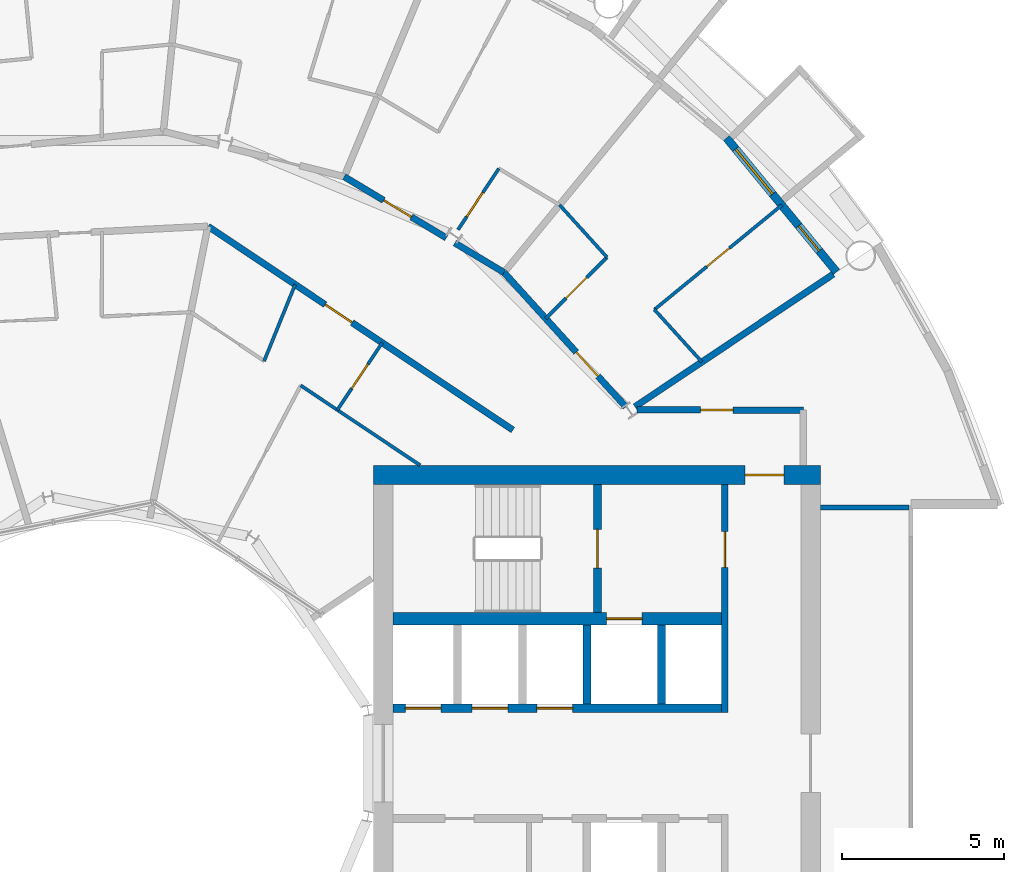
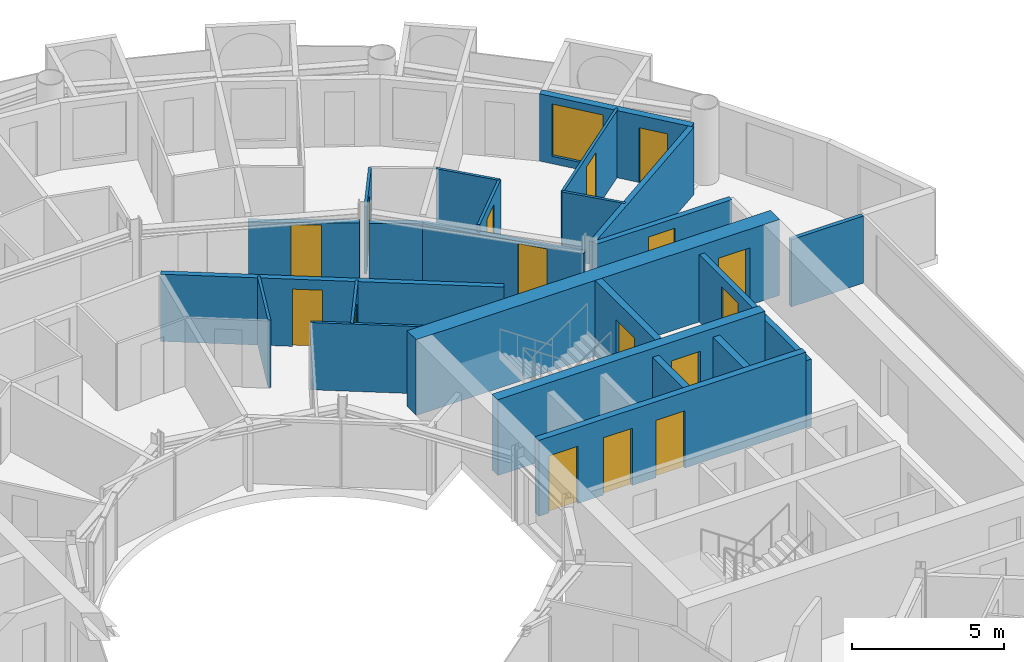
# One storey, part 22 of 27: 23 walls, 16 doors, 1 window, 17 openings.
"""IFC4 building model written with IfcOpenShell, lengths in metres."""

from ifc_helpers import new_model, si_unit, direction, frame, frame_2d, origin, place, context, subcontext, project, spatial, rectangle, extrude, material, layer, layer_set, type_object, element, fill, save


model = new_model("IFC4")

# Units and contexts
model_context = context("Model", 3, precision=1e-05, world=origin(), true_north=direction((0.0, 1.0)))
body_context = subcontext(model_context, "Body", "Model", "MODEL_VIEW")
ifc_project = project(units=[si_unit("LENGTHUNIT", "METRE"), si_unit("AREAUNIT", "SQUARE_METRE"), si_unit("VOLUMEUNIT", "CUBIC_METRE"), si_unit("PLANEANGLEUNIT", "RADIAN"), si_unit("MASSUNIT", "GRAM", prefix="KILO")], contexts=[model_context])

# Site, building, storey
site_placement = place(None, origin())
site = spatial("IfcSite", under=ifc_project, at=site_placement, CompositionType="ELEMENT")
building_placement = place(site_placement, origin())
building = spatial("IfcBuilding", under=site, at=building_placement, Name="Maasbend Ring Residences", CompositionType="ELEMENT")
storey_placement = place(building_placement, frame((0.0, 0.0, 126.89990234375)))
storey = spatial("IfcBuildingStorey", under=building, at=storey_placement, Name="L36", CompositionType="ELEMENT", Elevation=126.89990234375)

# Wall, openings, doors
ifc_material_1 = material(Name="Concrete C60/75", Category="concrete")
ifc_layer_1 = layer(ifc_material_1, 0.25)
ifc_layer_set_1 = layer_set([ifc_layer_1], Name="Concrete C60/75")
wall_type_1 = type_object("IfcWallType", Name="CORE WALL 250 C60/75", PredefinedType="SHEAR", material=ifc_layer_set_1)
wall_1_placement = place(storey_placement, frame((9.0, 1.699951171875, 0.0), z_axis=(0.0, 0.0, 1.0), x_axis=(1.0, 0.0, 0.0)))
wall_1 = element("IfcWall", 1, at=wall_1_placement, inside=storey, type_object=wall_type_1, Name="L36 core E wall SPN", PredefinedType="SHEAR", context=body_context, shape_type="SweptSolid", body=[
    extrude(rectangle(XDim=10.14990234375, YDim=0.25, at=frame_2d((5.074951171875, 0.0))), origin(), (0.0, 0.0, 1.0), 3.050048828125),
])
opening_1_placement = place(wall_1_placement, frame((0.387451171875, 0.0, 0.0)))
opening_1 = element("IfcOpeningElement", 2, at=opening_1_placement, cuts=wall_1, Name="Opening LD-E3601", PredefinedType="OPENING", context=body_context, shape_type="SweptSolid", body=[
    extrude(rectangle(XDim=1.10009765625, YDim=2.300048828125, at=frame_2d((0.550048828125, 1.14990234375))), frame((0.0, 0.135009765625, 0.0), z_axis=(0.0, -1.0, 0.0), x_axis=(1.0, 0.0, 0.0)), (0.0, 0.0, 1.0), 0.27001953125),
])
opening_2_placement = place(wall_1_placement, frame((2.449951171875, 0.0, 0.0)))
opening_2 = element("IfcOpeningElement", 3, at=opening_2_placement, cuts=wall_1, Name="Opening LD-E3602", PredefinedType="OPENING", context=body_context, shape_type="SweptSolid", body=[
    extrude(rectangle(XDim=1.10009765625, YDim=2.300048828125, at=frame_2d((0.550048828125, 1.14990234375))), frame((0.0, 0.135009765625, 0.0), z_axis=(0.0, -1.0, 0.0), x_axis=(1.0, 0.0, 0.0)), (0.0, 0.0, 1.0), 0.27001953125),
])
opening_3_placement = place(wall_1_placement, frame((4.449951171875, 0.0, 0.0)))
opening_3 = element("IfcOpeningElement", 4, at=opening_3_placement, cuts=wall_1, Name="Opening LD-E3603", PredefinedType="OPENING", context=body_context, shape_type="SweptSolid", body=[
    extrude(rectangle(XDim=1.10009765625, YDim=2.300048828125, at=frame_2d((0.550048828125, 1.14990234375))), frame((0.0, 0.135009765625, 0.0), z_axis=(0.0, -1.0, 0.0), x_axis=(1.0, 0.0, 0.0)), (0.0, 0.0, 1.0), 0.27001953125),
])
ifc_material_2 = material(Name="Stainless steel 316", Category="steel")
door_type_1 = type_object("IfcDoorType", Name="LANDING DOOR 1100 X 2300 FD60", OperationType="DOUBLE_DOOR_SLIDING", PredefinedType="DOOR", material=ifc_material_2)
door_1_placement = place(opening_1_placement, origin())
door_1 = element("IfcDoor", 5, at=door_1_placement, inside=storey, type_object=door_type_1, Name="Landing door LR-E1 L36", OperationType="DOUBLE_DOOR_SLIDING", OverallHeight=2.300048828125, OverallWidth=1.10009765625, PredefinedType="DOOR", context=body_context, shape_type="SweptSolid", body=[
    extrude(rectangle(XDim=1.10009765625, YDim=2.300048828125, at=frame_2d((0.550048828125, 1.14990234375))), frame((0.0, 0.02490234375, 0.0), z_axis=(0.0, -1.0, 0.0), x_axis=(1.0, 0.0, 0.0)), (0.0, 0.0, 1.0), 0.050048828125),
])
fill(opening_1, door_1)
door_2_placement = place(opening_2_placement, origin())
door_2 = element("IfcDoor", 6, at=door_2_placement, inside=storey, type_object=door_type_1, Name="Landing door LR-E2 L36", OperationType="DOUBLE_DOOR_SLIDING", OverallHeight=2.300048828125, OverallWidth=1.10009765625, PredefinedType="DOOR", context=body_context, shape_type="SweptSolid", body=[
    extrude(rectangle(XDim=1.10009765625, YDim=2.300048828125, at=frame_2d((0.550048828125, 1.14990234375))), frame((0.0, 0.02490234375, 0.0), z_axis=(0.0, -1.0, 0.0), x_axis=(1.0, 0.0, 0.0)), (0.0, 0.0, 1.0), 0.050048828125),
])
fill(opening_2, door_2)
door_3_placement = place(opening_3_placement, origin())
door_3 = element("IfcDoor", 7, at=door_3_placement, inside=storey, type_object=door_type_1, Name="Landing door LR-E3 L36", OperationType="DOUBLE_DOOR_SLIDING", OverallHeight=2.300048828125, OverallWidth=1.10009765625, PredefinedType="DOOR", context=body_context, shape_type="SweptSolid", body=[
    extrude(rectangle(XDim=1.10009765625, YDim=2.300048828125, at=frame_2d((0.550048828125, 1.14990234375))), frame((0.0, 0.02490234375, 0.0), z_axis=(0.0, -1.0, 0.0), x_axis=(1.0, 0.0, 0.0)), (0.0, 0.0, 1.0), 0.050048828125),
])
fill(opening_3, door_3)

# Wall, opening, door
wall_2_placement = place(storey_placement, frame((15.324951171875, 4.64990234375, 0.0), z_axis=(0.0, 0.0, 1.0), x_axis=(0.0, 1.0, 0.0)))
wall_2 = element("IfcWall", 8, at=wall_2_placement, inside=storey, type_object=wall_type_1, Name="L36 core E wall STEN", PredefinedType="SHEAR", context=body_context, shape_type="SweptSolid", body=[
    extrude(rectangle(XDim=3.9501953125, YDim=0.25, at=frame_2d((1.97509765625, 0.0))), origin(), (0.0, 0.0, 1.0), 3.050048828125),
])
opening_4_placement = place(wall_2_placement, frame((1.375, 0.0, 0.0)))
opening_4 = element("IfcOpeningElement", 9, at=opening_4_placement, cuts=wall_2, Name="Opening D-E3610", PredefinedType="OPENING", context=body_context, shape_type="SweptSolid", body=[
    extrude(rectangle(XDim=1.199951171875, YDim=2.300048828125, at=frame_2d((0.60009765625, 1.14990234375))), frame((0.0, 0.135009765625, 0.0), z_axis=(0.0, -1.0, 0.0), x_axis=(1.0, 0.0, 0.0)), (0.0, 0.0, 1.0), 0.27001953125),
])
ifc_material_3 = material(Name="Steel, powder coated", Category="steel")
door_type_2 = type_object("IfcDoorType", Name="STAIR DOOR 1200 X 2300 FD60", OperationType="NOTDEFINED", PredefinedType="DOOR", material=ifc_material_3)
door_4_placement = place(opening_4_placement, origin())
door_4 = element("IfcDoor", 10, at=door_4_placement, inside=storey, type_object=door_type_2, Name="Stair door ST-E L36", OperationType="SINGLE_SWING_LEFT", OverallHeight=2.300048828125, OverallWidth=1.199951171875, PredefinedType="DOOR", context=body_context, shape_type="SweptSolid", body=[
    extrude(rectangle(XDim=1.199951171875, YDim=2.300048828125, at=frame_2d((0.60009765625, 1.14990234375))), frame((0.0, 0.02490234375, 0.0), z_axis=(0.0, -1.0, 0.0), x_axis=(1.0, 0.0, 0.0)), (0.0, 0.0, 1.0), 0.050048828125),
])
fill(opening_4, door_4)

ifc_material_4 = material(Name="Concrete C60/75", Category="concrete")
ifc_layer_2 = layer(ifc_material_4, 0.375)
ifc_layer_set_2 = layer_set([ifc_layer_2], Name="Concrete C60/75")
wall_type_2 = type_object("IfcWallType", Name="CORE WALL 375 C60/75", PredefinedType="SHEAR", material=ifc_layer_set_2)
wall_3_placement = place(storey_placement, frame((9.0, 4.46240234375, 0.0), z_axis=(0.0, 0.0, 1.0), x_axis=(1.0, 0.0, 0.0)))
wall_3 = element("IfcWall", 11, at=wall_3_placement, inside=storey, type_object=wall_type_2, Name="L36 core E wall BN", PredefinedType="SHEAR", context=body_context, shape_type="SweptSolid", body=[
    extrude(rectangle(XDim=10.14990234375, YDim=0.375, at=frame_2d((5.074951171875, 0.0))), origin(), (0.0, 0.0, 1.0), 3.050048828125),
])
opening_5_placement = place(wall_3_placement, frame((6.60009765625, 0.0, 0.0)))
opening_5 = element("IfcOpeningElement", 12, at=opening_5_placement, cuts=wall_3, Name="Opening LD-E3604", PredefinedType="OPENING", context=body_context, shape_type="SweptSolid", body=[
    extrude(rectangle(XDim=1.10009765625, YDim=2.300048828125, at=frame_2d((0.550048828125, 1.14990234375))), frame((0.0, 0.197509765625, 0.0), z_axis=(0.0, -1.0, 0.0), x_axis=(1.0, 0.0, 0.0)), (0.0, 0.0, 1.0), 0.39501953125),
])
door_5_placement = place(opening_5_placement, origin())
door_5 = element("IfcDoor", 13, at=door_5_placement, inside=storey, type_object=door_type_1, Name="Landing door FF-E L36", OperationType="DOUBLE_DOOR_SLIDING", OverallHeight=2.300048828125, OverallWidth=1.10009765625, PredefinedType="DOOR", context=body_context, shape_type="SweptSolid", body=[
    extrude(rectangle(XDim=1.10009765625, YDim=2.300048828125, at=frame_2d((0.550048828125, 1.14990234375))), frame((0.0, 0.02490234375, 0.0), z_axis=(0.0, -1.0, 0.0), x_axis=(1.0, 0.0, 0.0)), (0.0, 0.0, 1.0), 0.050048828125),
])
fill(opening_5, door_5)

ifc_material_5 = material(Name="Concrete C60/75", Category="concrete")
ifc_layer_3 = layer(ifc_material_5, 0.60009765625)
ifc_layer_set_3 = layer_set([ifc_layer_3], Name="Concrete C60/75")
wall_type_3 = type_object("IfcWallType", Name="CORE WALL 600 C60/75", PredefinedType="SHEAR", material=ifc_layer_set_3)
wall_4_placement = place(storey_placement, frame((22.199951171875, 8.89990234375, 0.0), z_axis=(0.0, 0.0, 1.0), x_axis=(-1.0, 0.0, 0.0)))
wall_4 = element("IfcWall", 14, at=wall_4_placement, inside=storey, type_object=wall_type_3, Name="L36 core E wall PN", PredefinedType="SHEAR", context=body_context, shape_type="SweptSolid", body=[
    extrude(rectangle(XDim=13.800048828125, YDim=0.60009765625, at=frame_2d((6.89990234375, 0.0))), origin(), (0.0, 0.0, 1.0), 3.050048828125),
])
opening_6_placement = place(wall_4_placement, frame((1.125, 0.0, 0.0)))
opening_6 = element("IfcOpeningElement", 15, at=opening_6_placement, cuts=wall_4, Name="Opening D-E3614", PredefinedType="OPENING", context=body_context, shape_type="SweptSolid", body=[
    extrude(rectangle(XDim=1.199951171875, YDim=2.300048828125, at=frame_2d((0.60009765625, 1.14990234375))), frame((0.0, 0.31005859375, 0.0), z_axis=(0.0, -1.0, 0.0), x_axis=(1.0, 0.0, 0.0)), (0.0, 0.0, 1.0), 0.6201171875),
])
ifc_material_6 = material(Name="Steel, powder coated", Category="steel")
door_type_3 = type_object("IfcDoorType", Name="CORRIDOR DOOR 1200 X 2300 FD30S", OperationType="NOTDEFINED", PredefinedType="DOOR", material=ifc_material_6)
door_6_placement = place(opening_6_placement, origin())
door_6 = element("IfcDoor", 16, at=door_6_placement, inside=storey, type_object=door_type_3, Name="Corridor door L36", OperationType="SINGLE_SWING_RIGHT", OverallHeight=2.300048828125, OverallWidth=1.199951171875, PredefinedType="DOOR", context=body_context, shape_type="SweptSolid", body=[
    extrude(rectangle(XDim=1.199951171875, YDim=2.300048828125, at=frame_2d((0.60009765625, 1.14990234375))), frame((0.0, 0.02490234375, 0.0), z_axis=(0.0, -1.0, 0.0), x_axis=(1.0, 0.0, 0.0)), (0.0, 0.0, 1.0), 0.050048828125),
])
fill(opening_6, door_6)

ifc_material_7 = material(Name="Concrete C30/37", Category="concrete")
ifc_layer_4 = layer(ifc_material_7, 0.199951171875)
ifc_layer_set_4 = layer_set([ifc_layer_4], Name="Concrete C30/37")
wall_type_4 = type_object("IfcWallType", Name="CORRIDOR WALL 200 CONCRETE", PredefinedType="PARTITIONING", material=ifc_layer_set_4)
wall_5_placement = place(storey_placement, frame((16.541015625, 10.912109375, 0.0), z_axis=(0.0, 0.0, 1.0), x_axis=(0.999997173357, -0.002377662213, 0.0)))
wall_5 = element("IfcWall", 17, at=wall_5_placement, inside=storey, type_object=wall_type_4, Name="U-L36-w099", PredefinedType="PARTITIONING", context=body_context, shape_type="SweptSolid", body=[
    extrude(rectangle(XDim=5.134033203125, YDim=0.199951171875, at=frame_2d((2.56689453125, 0.0))), origin(), (0.0, 0.0, 1.0), 2.7001953125),
])
opening_7_placement = place(wall_5_placement, frame((1.962890625, 0.0, 0.0)))
opening_7 = element("IfcOpeningElement", 18, at=opening_7_placement, cuts=wall_5, Name="Opening D-3666", PredefinedType="OPENING", context=body_context, shape_type="SweptSolid", body=[
    extrude(rectangle(XDim=1.0, YDim=2.300048828125, at=frame_2d((0.5, 1.14990234375))), frame((0.0, 0.10986328125, 0.0), z_axis=(0.0, -1.0, 0.0), x_axis=(1.0, 0.0, 0.0)), (0.0, 0.0, 1.0), 0.219970703125),
])
ifc_material_8 = material(Name="Timber, painted", Category="wood")
door_type_4 = type_object("IfcDoorType", Name="ROOM DOOR 1000 X 2300", OperationType="NOTDEFINED", PredefinedType="DOOR", material=ifc_material_8)
door_7_placement = place(opening_7_placement, origin())
door_7 = element("IfcDoor", 19, at=door_7_placement, inside=storey, type_object=door_type_4, Name="D-3666", OperationType="SINGLE_SWING_LEFT", OverallHeight=2.300048828125, OverallWidth=1.0, PredefinedType="DOOR", context=body_context, shape_type="SweptSolid", body=[
    extrude(rectangle(XDim=1.0, YDim=2.300048828125, at=frame_2d((0.5, 1.14990234375))), frame((0.0, 0.02490234375, 0.0), z_axis=(0.0, -1.0, 0.0), x_axis=(1.0, 0.0, 0.0)), (0.0, 0.0, 1.0), 0.050048828125),
])
fill(opening_7, door_7)

wall_6_placement = place(storey_placement, frame((3.300048828125, 16.573974609375, 0.0), z_axis=(0.0, 0.0, 1.0), x_axis=(0.831455567902, -0.555591251376, 0.0)))
wall_6 = element("IfcWall", 20, at=wall_6_placement, inside=storey, type_object=wall_type_4, Name="U-L36-w106", PredefinedType="PARTITIONING", context=body_context, shape_type="SweptSolid", body=[
    extrude(rectangle(XDim=11.31396484375, YDim=0.199951171875, at=frame_2d((5.656982421875, 0.0))), origin(), (0.0, 0.0, 1.0), 2.7001953125),
])
opening_8_placement = place(wall_6_placement, frame((4.345947265625, 0.0, 0.0)))
opening_8 = element("IfcOpeningElement", 21, at=opening_8_placement, cuts=wall_6, Name="Opening D-3621", PredefinedType="OPENING", context=body_context, shape_type="SweptSolid", body=[
    extrude(rectangle(XDim=1.0, YDim=2.300048828125, at=frame_2d((0.5, 1.14990234375))), frame((0.0, 0.10986328125, 0.0), z_axis=(0.0, -1.0, 0.0), x_axis=(1.0, 0.0, 0.0)), (0.0, 0.0, 1.0), 0.219970703125),
])
ifc_material_9 = material(Name="Timber, fire-rated, painted", Category="wood")
door_type_5 = type_object("IfcDoorType", Name="FLAT ENTRANCE DOOR 1000 X 2300 FIRE-RATED", OperationType="NOTDEFINED", PredefinedType="DOOR", material=ifc_material_9)
door_8_placement = place(opening_8_placement, origin())
door_8 = element("IfcDoor", 22, at=door_8_placement, inside=storey, type_object=door_type_5, Name="D-3621", OperationType="SINGLE_SWING_LEFT", OverallHeight=2.300048828125, OverallWidth=1.0, PredefinedType="DOOR", context=body_context, shape_type="SweptSolid", body=[
    extrude(rectangle(XDim=1.0, YDim=2.300048828125, at=frame_2d((0.5, 1.14990234375))), frame((0.0, 0.02490234375, 0.0), z_axis=(0.0, -1.0, 0.0), x_axis=(1.0, 0.0, 0.0)), (0.0, 0.0, 1.0), 0.050048828125),
])
fill(opening_8, door_8)

wall_7_placement = place(storey_placement, frame((7.5009765625, 18.10791015625, 0.0), z_axis=(0.0, 0.0, 1.0), x_axis=(0.857774179698, -0.514026708103, 0.0)))
wall_7 = element("IfcWall", 23, at=wall_7_placement, inside=storey, type_object=wall_type_4, Name="U-L36-w114", PredefinedType="PARTITIONING", context=body_context, shape_type="SweptSolid", body=[
    extrude(rectangle(XDim=3.6748046875, YDim=0.199951171875, at=frame_2d((1.83740234375, 0.0))), origin(), (0.0, 0.0, 1.0), 2.39013671875),
])
opening_9_placement = place(wall_7_placement, frame((1.41796875, 0.0, 0.0)))
opening_9 = element("IfcOpeningElement", 24, at=opening_9_placement, cuts=wall_7, Name="Opening D-3604", PredefinedType="OPENING", context=body_context, shape_type="SweptSolid", body=[
    extrude(rectangle(XDim=1.0, YDim=2.300048828125, at=frame_2d((0.5, 1.14990234375))), frame((0.0, 0.10986328125, 0.0), z_axis=(0.0, -1.0, 0.0), x_axis=(1.0, 0.0, 0.0)), (0.0, 0.0, 1.0), 0.219970703125),
])
door_9_placement = place(opening_9_placement, origin())
door_9 = element("IfcDoor", 25, at=door_9_placement, inside=storey, type_object=door_type_5, Name="D-3604", OperationType="SINGLE_SWING_RIGHT", OverallHeight=2.300048828125, OverallWidth=1.0, PredefinedType="DOOR", context=body_context, shape_type="SweptSolid", body=[
    extrude(rectangle(XDim=1.0, YDim=2.300048828125, at=frame_2d((0.5, 1.14990234375))), frame((0.0, 0.02490234375, 0.0), z_axis=(0.0, -1.0, 0.0), x_axis=(1.0, 0.0, 0.0)), (0.0, 0.0, 1.0), 0.050048828125),
])
fill(opening_9, door_9)

# Wall
wall_8_placement = place(storey_placement, frame((10.916015625, 16.06103515625, 0.0), z_axis=(0.0, 0.0, 1.0), x_axis=(0.857663265693, -0.514211748875, 0.0)))
element("IfcWall", 26, at=wall_8_placement, inside=storey, type_object=wall_type_4, Name="U-L36-w115", PredefinedType="PARTITIONING", context=body_context, shape_type="SweptSolid", body=[
    extrude(rectangle(XDim=1.77001953125, YDim=0.199951171875, at=frame_2d((0.885009765625, 0.0))), origin(), (0.0, 0.0, 1.0), 2.39013671875),
])

# Wall, opening, door
wall_9_placement = place(storey_placement, frame((12.43408203125, 15.15087890625, 0.0), z_axis=(0.0, 0.0, 1.0), x_axis=(0.671481997275, -0.741020868354, 0.0)))
wall_9 = element("IfcWall", 27, at=wall_9_placement, inside=storey, type_object=wall_type_4, Name="U-L36-w116", PredefinedType="PARTITIONING", context=body_context, shape_type="SweptSolid", body=[
    extrude(rectangle(XDim=5.59619140625, YDim=0.199951171875, at=frame_2d((2.798095703125, 0.0))), origin(), (0.0, 0.0, 1.0), 2.39013671875),
])
opening_10_placement = place(wall_9_placement, frame((3.319091796875, 0.0, 0.0)))
opening_10 = element("IfcOpeningElement", 28, at=opening_10_placement, cuts=wall_9, Name="Opening D-3601", PredefinedType="OPENING", context=body_context, shape_type="SweptSolid", body=[
    extrude(rectangle(XDim=1.0, YDim=2.300048828125, at=frame_2d((0.5, 1.14990234375))), frame((0.0, 0.10986328125, 0.0), z_axis=(0.0, -1.0, 0.0), x_axis=(1.0, 0.0, 0.0)), (0.0, 0.0, 1.0), 0.219970703125),
])
door_10_placement = place(opening_10_placement, origin())
door_10 = element("IfcDoor", 29, at=door_10_placement, inside=storey, type_object=door_type_5, Name="D-3601", OperationType="SINGLE_SWING_RIGHT", OverallHeight=2.300048828125, OverallWidth=1.0, PredefinedType="DOOR", context=body_context, shape_type="SweptSolid", body=[
    extrude(rectangle(XDim=1.0, YDim=2.300048828125, at=frame_2d((0.5, 1.14990234375))), frame((0.0, 0.02490234375, 0.0), z_axis=(0.0, -1.0, 0.0), x_axis=(1.0, 0.0, 0.0)), (0.0, 0.0, 1.0), 0.050048828125),
])
fill(opening_10, door_10)

# Wall, openings, door, window
ifc_material_10 = material(Name="Aluminium clad insulated panel", Category="aluminium")
ifc_layer_5 = layer(ifc_material_10, 0.25)
ifc_layer_set_5 = layer_set([ifc_layer_5], Name="EW-GL")
wall_type_5 = type_object("IfcWallType", Name="EW-GL", PredefinedType="SOLIDWALL", material=ifc_layer_set_5)
wall_10_placement = place(storey_placement, frame((22.698974609375, 15.1669921875, 0.0), z_axis=(0.0, 0.0, 1.0), x_axis=(-0.634382322723, 0.773019449054, 0.0)))
wall_10 = element("IfcWall", 30, at=wall_10_placement, inside=storey, type_object=wall_type_5, Name="External wall N01", PredefinedType="SOLIDWALL", context=body_context, shape_type="SweptSolid", body=[
    extrude(rectangle(XDim=5.351806640625, YDim=0.25, at=frame_2d((2.67578125, 0.0))), origin(), (0.0, 0.0, 1.0), 2.7001953125),
])
opening_11_placement = place(wall_10_placement, frame((0.841064453125, 0.0, 0.0)))
opening_11 = element("IfcOpeningElement", 31, at=opening_11_placement, cuts=wall_10, Name="Opening D-LG", PredefinedType="OPENING", context=body_context, shape_type="SweptSolid", body=[
    extrude(rectangle(XDim=1.0, YDim=2.199951171875, at=frame_2d((0.5, 1.10009765625))), frame((0.0, 0.135009765625, 0.0), z_axis=(0.0, -1.0, 0.0), x_axis=(1.0, 0.0, 0.0)), (0.0, 0.0, 1.0), 0.27001953125),
])
opening_12_placement = place(wall_10_placement, frame((3.110595703125, 0.0, 0.300048828125)))
opening_12 = element("IfcOpeningElement", 32, at=opening_12_placement, cuts=wall_10, Name="Opening W-BX", PredefinedType="OPENING", context=body_context, shape_type="SweptSolid", body=[
    extrude(rectangle(XDim=1.800048828125, YDim=2.10009765625, at=frame_2d((0.89990234375, 1.050048828125))), frame((0.0, 0.135009765625, 0.0), z_axis=(0.0, -1.0, 0.0), x_axis=(1.0, 0.0, 0.0)), (0.0, 0.0, 1.0), 0.27001953125),
])
ifc_material_11 = material(Name="Aluminium and clear glass", Category="aluminium")
door_type_6 = type_object("IfcDoorType", Name="D-LG", OperationType="SINGLE_SWING_LEFT", PredefinedType="DOOR", material=ifc_material_11)
door_11_placement = place(opening_11_placement, origin())
door_11 = element("IfcDoor", 33, at=door_11_placement, inside=storey, type_object=door_type_6, Name="Loggia door N01", OperationType="SINGLE_SWING_LEFT", OverallHeight=2.199951171875, OverallWidth=1.0, PredefinedType="DOOR", context=body_context, shape_type="SweptSolid", body=[
    extrude(rectangle(XDim=1.0, YDim=2.199951171875, at=frame_2d((0.5, 1.10009765625))), frame((0.0, 0.02490234375, 0.0), z_axis=(0.0, -1.0, 0.0), x_axis=(1.0, 0.0, 0.0)), (0.0, 0.0, 1.0), 0.050048828125),
])
fill(opening_11, door_11)
ifc_material_12 = material(Name="Aluminium and clear glass", Category="aluminium")
window_type = type_object("IfcWindowType", Name="W-BX", PartitioningType="DOUBLE_PANEL_VERTICAL", PredefinedType="WINDOW", material=ifc_material_12)
window_placement = place(opening_12_placement, origin())
window = element("IfcWindow", 34, at=window_placement, inside=storey, type_object=window_type, Name="Window N02 room to box", OverallHeight=2.10009765625, OverallWidth=1.800048828125, PartitioningType="SINGLE_PANEL", PredefinedType="WINDOW", context=body_context, shape_type="SweptSolid", body=[
    extrude(rectangle(XDim=1.800048828125, YDim=2.10009765625, at=frame_2d((0.89990234375, 1.050048828125))), frame((0.0, 0.030029296875, 0.0), z_axis=(0.0, -1.0, 0.0), x_axis=(1.0, 0.0, 0.0)), (0.0, 0.0, 1.0), 0.06005859375),
])
fill(opening_12, window)

# Wall
ifc_material_13 = material(Name="Gypsum board on steel studs", Category="steel")
ifc_layer_6 = layer(ifc_material_13, 0.10009765625)
ifc_layer_set_6 = layer_set([ifc_layer_6], Name="PARTITION 100 GYPSUM")
wall_type_6 = type_object("IfcWallType", Name="PARTITION 100 GYPSUM", PredefinedType="PARTITIONING", material=ifc_layer_set_6)
wall_11_placement = place(storey_placement, frame((5.029052734375, 12.41796875, 0.0), z_axis=(0.0, 0.0, 1.0), x_axis=(0.375649498413, 0.926761811008, 0.0)))
element("IfcWall", 35, at=wall_11_placement, inside=storey, type_object=wall_type_6, Name="U-L36-w077", PredefinedType="PARTITIONING", context=body_context, shape_type="SweptSolid", body=[
    extrude(rectangle(XDim=2.547607421875, YDim=0.10009765625, at=frame_2d((1.27392578125, 0.0))), origin(), (0.0, 0.0, 1.0), 2.7001953125),
])

# Wall, opening, door
wall_12_placement = place(storey_placement, frame((7.2890625, 10.907958984375, 0.0), z_axis=(0.0, 0.0, 1.0), x_axis=(0.555355163998, 0.831613276602, 0.0)))
wall_12 = element("IfcWall", 36, at=wall_12_placement, inside=storey, type_object=wall_type_6, Name="U-L36-w081", PredefinedType="PARTITIONING", context=body_context, shape_type="SweptSolid", body=[
    extrude(rectangle(XDim=2.493896484375, YDim=0.10009765625, at=frame_2d((1.2470703125, 0.0))), origin(), (0.0, 0.0, 1.0), 2.7001953125),
])
opening_13_placement = place(wall_12_placement, frame((0.797119140625, 0.0, 0.0)))
opening_13 = element("IfcOpeningElement", 37, at=opening_13_placement, cuts=wall_12, Name="Opening D-3623", PredefinedType="OPENING", context=body_context, shape_type="SweptSolid", body=[
    extrude(rectangle(XDim=0.89990234375, YDim=2.300048828125, at=frame_2d((0.449951171875, 1.14990234375))), frame((0.0, 0.06005859375, 0.0), z_axis=(0.0, -1.0, 0.0), x_axis=(1.0, 0.0, 0.0)), (0.0, 0.0, 1.0), 0.1201171875),
])
ifc_material_14 = material(Name="Timber, painted", Category="wood")
door_type_7 = type_object("IfcDoorType", Name="INTERNAL DOOR 900 X 2300", OperationType="NOTDEFINED", PredefinedType="DOOR", material=ifc_material_14)
door_12_placement = place(opening_13_placement, origin())
door_12 = element("IfcDoor", 38, at=door_12_placement, inside=storey, type_object=door_type_7, Name="D-3623", OperationType="SINGLE_SWING_RIGHT", OverallHeight=2.300048828125, OverallWidth=0.89990234375, PredefinedType="DOOR", context=body_context, shape_type="SweptSolid", body=[
    extrude(rectangle(XDim=0.89990234375, YDim=2.300048828125, at=frame_2d((0.449951171875, 1.14990234375))), frame((0.0, 0.02490234375, 0.0), z_axis=(0.0, -1.0, 0.0), x_axis=(1.0, 0.0, 0.0)), (0.0, 0.0, 1.0), 0.050048828125),
])
fill(opening_13, door_12)

wall_13_placement = place(storey_placement, frame((11.014892578125, 16.472900390625, 0.0), z_axis=(0.0, 0.0, 1.0), x_axis=(0.555568680968, 0.831470649348, 0.0)))
wall_13 = element("IfcWall", 39, at=wall_13_placement, inside=storey, type_object=wall_type_6, Name="U-L36-w087", PredefinedType="PARTITIONING", context=body_context, shape_type="SweptSolid", body=[
    extrude(rectangle(XDim=2.269775390625, YDim=0.10009765625, at=frame_2d((1.134765625, 0.0))), origin(), (0.0, 0.0, 1.0), 2.7001953125),
])
opening_14_placement = place(wall_13_placement, frame((0.48291015625, 0.0, 0.0)))
opening_14 = element("IfcOpeningElement", 40, at=opening_14_placement, cuts=wall_13, Name="Opening D-3605", PredefinedType="OPENING", context=body_context, shape_type="SweptSolid", body=[
    extrude(rectangle(XDim=0.89990234375, YDim=2.300048828125, at=frame_2d((0.449951171875, 1.14990234375))), frame((0.0, 0.06005859375, 0.0), z_axis=(0.0, -1.0, 0.0), x_axis=(1.0, 0.0, 0.0)), (0.0, 0.0, 1.0), 0.1201171875),
])
door_13_placement = place(opening_14_placement, origin())
door_13 = element("IfcDoor", 41, at=door_13_placement, inside=storey, type_object=door_type_7, Name="D-3605", OperationType="SINGLE_SWING_LEFT", OverallHeight=2.300048828125, OverallWidth=0.89990234375, PredefinedType="DOOR", context=body_context, shape_type="SweptSolid", body=[
    extrude(rectangle(XDim=0.89990234375, YDim=2.300048828125, at=frame_2d((0.449951171875, 1.14990234375))), frame((0.0, 0.02490234375, 0.0), z_axis=(0.0, -1.0, 0.0), x_axis=(1.0, 0.0, 0.0)), (0.0, 0.0, 1.0), 0.050048828125),
])
fill(opening_14, door_13)

wall_14_placement = place(storey_placement, frame((13.721923828125, 13.72998046875, 0.0), z_axis=(0.0, 0.0, 1.0), x_axis=(0.706741540154, 0.707471833659, 0.0)))
wall_14 = element("IfcWall", 42, at=wall_14_placement, inside=storey, type_object=wall_type_6, Name="U-L36-w090", PredefinedType="PARTITIONING", context=body_context, shape_type="SweptSolid", body=[
    extrude(rectangle(XDim=2.67431640625, YDim=0.10009765625, at=frame_2d((1.337158203125, 0.0))), origin(), (0.0, 0.0, 1.0), 2.7001953125),
])
opening_15_placement = place(wall_14_placement, frame((0.886962890625, 0.0, 0.0)))
opening_15 = element("IfcOpeningElement", 43, at=opening_15_placement, cuts=wall_14, Name="Opening D-3602", PredefinedType="OPENING", context=body_context, shape_type="SweptSolid", body=[
    extrude(rectangle(XDim=0.89990234375, YDim=2.300048828125, at=frame_2d((0.449951171875, 1.14990234375))), frame((0.0, 0.06005859375, 0.0), z_axis=(0.0, -1.0, 0.0), x_axis=(1.0, 0.0, 0.0)), (0.0, 0.0, 1.0), 0.1201171875),
])
door_14_placement = place(opening_15_placement, origin())
door_14 = element("IfcDoor", 44, at=door_14_placement, inside=storey, type_object=door_type_7, Name="D-3602", OperationType="SINGLE_SWING_RIGHT", OverallHeight=2.300048828125, OverallWidth=0.89990234375, PredefinedType="DOOR", context=body_context, shape_type="SweptSolid", body=[
    extrude(rectangle(XDim=0.89990234375, YDim=2.300048828125, at=frame_2d((0.449951171875, 1.14990234375))), frame((0.0, 0.02490234375, 0.0), z_axis=(0.0, -1.0, 0.0), x_axis=(1.0, 0.0, 0.0)), (0.0, 0.0, 1.0), 0.050048828125),
])
fill(opening_15, door_14)

wall_15_placement = place(storey_placement, frame((17.076904296875, 14.006103515625, 0.0), z_axis=(0.0, 0.0, 1.0), x_axis=(0.77326214499, 0.634086472908, 0.0)))
wall_15 = element("IfcWall", 45, at=wall_15_placement, inside=storey, type_object=wall_type_6, Name="U-L36-w095", PredefinedType="PARTITIONING", context=body_context, shape_type="SweptSolid", body=[
    extrude(rectangle(XDim=5.0888671875, YDim=0.10009765625, at=frame_2d((2.54443359375, 0.0))), origin(), (0.0, 0.0, 1.0), 2.7001953125),
])
opening_16_placement = place(wall_15_placement, frame((2.093994140625, 0.0, 0.0)))
opening_16 = element("IfcOpeningElement", 46, at=opening_16_placement, cuts=wall_15, Name="Opening D-3603", PredefinedType="OPENING", context=body_context, shape_type="SweptSolid", body=[
    extrude(rectangle(XDim=0.89990234375, YDim=2.300048828125, at=frame_2d((0.449951171875, 1.14990234375))), frame((0.0, 0.06005859375, 0.0), z_axis=(0.0, -1.0, 0.0), x_axis=(1.0, 0.0, 0.0)), (0.0, 0.0, 1.0), 0.1201171875),
])
door_15_placement = place(opening_16_placement, origin())
door_15 = element("IfcDoor", 47, at=door_15_placement, inside=storey, type_object=door_type_7, Name="D-3603", OperationType="SINGLE_SWING_RIGHT", OverallHeight=2.300048828125, OverallWidth=0.89990234375, PredefinedType="DOOR", context=body_context, shape_type="SweptSolid", body=[
    extrude(rectangle(XDim=0.89990234375, YDim=2.300048828125, at=frame_2d((0.449951171875, 1.14990234375))), frame((0.0, 0.02490234375, 0.0), z_axis=(0.0, -1.0, 0.0), x_axis=(1.0, 0.0, 0.0)), (0.0, 0.0, 1.0), 0.050048828125),
])
fill(opening_16, door_15)

# Walls
wall_16_placement = place(storey_placement, frame((6.158935546875, 11.6630859375, 0.0), z_axis=(0.0, 0.0, 1.0), x_axis=(0.831448270228, -0.555602172363, 0.0)))
element("IfcWall", 48, at=wall_16_placement, inside=storey, type_object=wall_type_6, Name="U-L36-w101", PredefinedType="PARTITIONING", context=body_context, shape_type="SweptSolid", body=[
    extrude(rectangle(XDim=4.433349609375, YDim=0.10009765625, at=frame_2d((2.216796875, 0.0))), origin(), (0.0, 0.0, 1.0), 2.7001953125),
])
wall_17_placement = place(storey_placement, frame((14.14697265625, 17.238037109375, 0.0), z_axis=(0.0, 0.0, 1.0), x_axis=(0.671674967707, -0.740845960882, 0.0)))
element("IfcWall", 49, at=wall_17_placement, inside=storey, type_object=wall_type_6, Name="U-L36-w129", PredefinedType="PARTITIONING", context=body_context, shape_type="SweptSolid", body=[
    extrude(rectangle(XDim=2.18115234375, YDim=0.10009765625, at=frame_2d((1.090576171875, 0.0))), origin(), (0.0, 0.0, 1.0), 2.7001953125),
])
wall_18_placement = place(storey_placement, frame((17.072021484375, 14.010986328125, 0.0), z_axis=(0.0, 0.0, 1.0), x_axis=(0.67169789574, -0.740825172937, 0.0)))
element("IfcWall", 50, at=wall_18_placement, inside=storey, type_object=wall_type_6, Name="U-L36-w130", PredefinedType="PARTITIONING", context=body_context, shape_type="SweptSolid", body=[
    extrude(rectangle(XDim=2.1826171875, YDim=0.10009765625, at=frame_2d((1.09130859375, 0.0))), origin(), (0.0, 0.0, 1.0), 2.7001953125),
])
ifc_material_15 = material(Name="Gypsum board on steel studs", Category="steel")
ifc_layer_7 = layer(ifc_material_15, 0.14990234375)
ifc_layer_set_7 = layer_set([ifc_layer_7], Name="PARTITION 150 EI 60")
wall_type_7 = type_object("IfcWallType", Name="PARTITION 150 EI 60", PredefinedType="PARTITIONING", material=ifc_layer_set_7)
wall_19_placement = place(storey_placement, frame((22.199951171875, 7.89990234375, 0.0), z_axis=(0.0, 0.0, 1.0), x_axis=(1.0, 0.0, 0.0)))
element("IfcWall", 51, at=wall_19_placement, inside=storey, type_object=wall_type_7, Name="L36 core E wall CITN", PredefinedType="PARTITIONING", context=body_context, shape_type="SweptSolid", body=[
    extrude(rectangle(XDim=2.739990234375, YDim=0.14990234375, at=frame_2d((1.3701171875, 0.0))), origin(), (0.0, 0.0, 1.0), 2.7001953125),
])
ifc_material_16 = material(Name="Concrete C30/37", Category="concrete")
ifc_layer_8 = layer(ifc_material_16, 0.199951171875)
ifc_layer_set_8 = layer_set([ifc_layer_8], Name="Concrete C30/37")
wall_type_8 = type_object("IfcWallType", Name="PARTY WALL 200 CONCRETE", PredefinedType="PARTITIONING", material=ifc_layer_set_8)
wall_20_placement = place(storey_placement, frame((16.47705078125, 11.009033203125, 0.0), z_axis=(0.0, 0.0, 1.0), x_axis=(0.831406593008, 0.555664536482, 0.0)))
element("IfcWall", 52, at=wall_20_placement, inside=storey, type_object=wall_type_8, Name="U-L36-w093", PredefinedType="PARTITIONING", context=body_context, shape_type="SweptSolid", body=[
    extrude(rectangle(XDim=7.3583984375, YDim=0.199951171875, at=frame_2d((3.67919921875, 0.0))), origin(), (0.0, 0.0, 1.0), 2.7001953125),
])

# Wall, opening, door
ifc_material_17 = material(Name="Concrete C30/37", Category="concrete")
ifc_layer_9 = layer(ifc_material_17, 0.199951171875)
ifc_layer_set_9 = layer_set([ifc_layer_9], Name="Concrete C30/37")
wall_type_9 = type_object("IfcWallType", Name="SHAFT WALL 200 EI 120", PredefinedType="SOLIDWALL", material=ifc_layer_set_9)
wall_21_placement = place(storey_placement, frame((19.25, 1.574951171875, 0.0), z_axis=(0.0, 0.0, 1.0), x_axis=(0.0, 1.0, 0.0)))
wall_21 = element("IfcWall", 53, at=wall_21_placement, inside=storey, type_object=wall_type_9, Name="L36 core E wall ENDN", PredefinedType="SOLIDWALL", context=body_context, shape_type="SweptSolid", body=[
    extrude(rectangle(XDim=7.025146484375, YDim=0.199951171875, at=frame_2d((3.5126953125, 0.0))), origin(), (0.0, 0.0, 1.0), 2.7001953125),
])
opening_17_placement = place(wall_21_placement, frame((4.47509765625, 0.0, 0.0)))
opening_17 = element("IfcOpeningElement", 54, at=opening_17_placement, cuts=wall_21, Name="Opening D-E3612", PredefinedType="OPENING", context=body_context, shape_type="SweptSolid", body=[
    extrude(rectangle(XDim=1.10009765625, YDim=2.300048828125, at=frame_2d((0.550048828125, 1.14990234375))), frame((0.0, 0.10986328125, 0.0), z_axis=(0.0, -1.0, 0.0), x_axis=(1.0, 0.0, 0.0)), (0.0, 0.0, 1.0), 0.219970703125),
])
ifc_material_18 = material(Name="Steel, powder coated", Category="steel")
door_type_8 = type_object("IfcDoorType", Name="LOBBY DOOR 1100 X 2300 FD60", OperationType="NOTDEFINED", PredefinedType="DOOR", material=ifc_material_18)
door_16_placement = place(opening_17_placement, origin())
door_16 = element("IfcDoor", 55, at=door_16_placement, inside=storey, type_object=door_type_8, Name="Lobby door L36", OperationType="SINGLE_SWING_LEFT", OverallHeight=2.300048828125, OverallWidth=1.10009765625, PredefinedType="DOOR", context=body_context, shape_type="SweptSolid", body=[
    extrude(rectangle(XDim=1.10009765625, YDim=2.300048828125, at=frame_2d((0.550048828125, 1.14990234375))), frame((0.0, 0.02490234375, 0.0), z_axis=(0.0, -1.0, 0.0), x_axis=(1.0, 0.0, 0.0)), (0.0, 0.0, 1.0), 0.050048828125),
])
fill(opening_17, door_16)

# Walls
ifc_material_19 = material(Name="Concrete C30/37", Category="concrete")
ifc_layer_10 = layer(ifc_material_19, 0.25)
ifc_layer_set_10 = layer_set([ifc_layer_10], Name="Concrete C30/37")
wall_type_10 = type_object("IfcWallType", Name="SHAFT WALL 250 EI 120", PredefinedType="SOLIDWALL", material=ifc_layer_set_10)
for number, where, z_axis, x_axis, name in (
    (56, (15.0, 1.824951171875, 0.0), (0.0, 0.0, 1.0), (0.0, 1.0, 0.0), "L36 core E wall D150N"),
    (57, (17.300048828125, 1.824951171875, 0.0), (0.0, 0.0, 1.0), (0.0, 1.0, 0.0), "L36 core E wall D173N"),
):
    element("IfcWall", number, at=place(storey_placement, frame(where, z_axis=z_axis, x_axis=x_axis)), inside=storey, type_object=wall_type_10, Name=name, PredefinedType="SOLIDWALL", context=body_context, shape_type="SweptSolid", body=[
        extrude(rectangle(XDim=2.449951171875, YDim=0.25, at=frame_2d((1.22509765625, 0.0))), origin(), (0.0, 0.0, 1.0), 2.7001953125),
    ])

save(model, "model.ifc")
